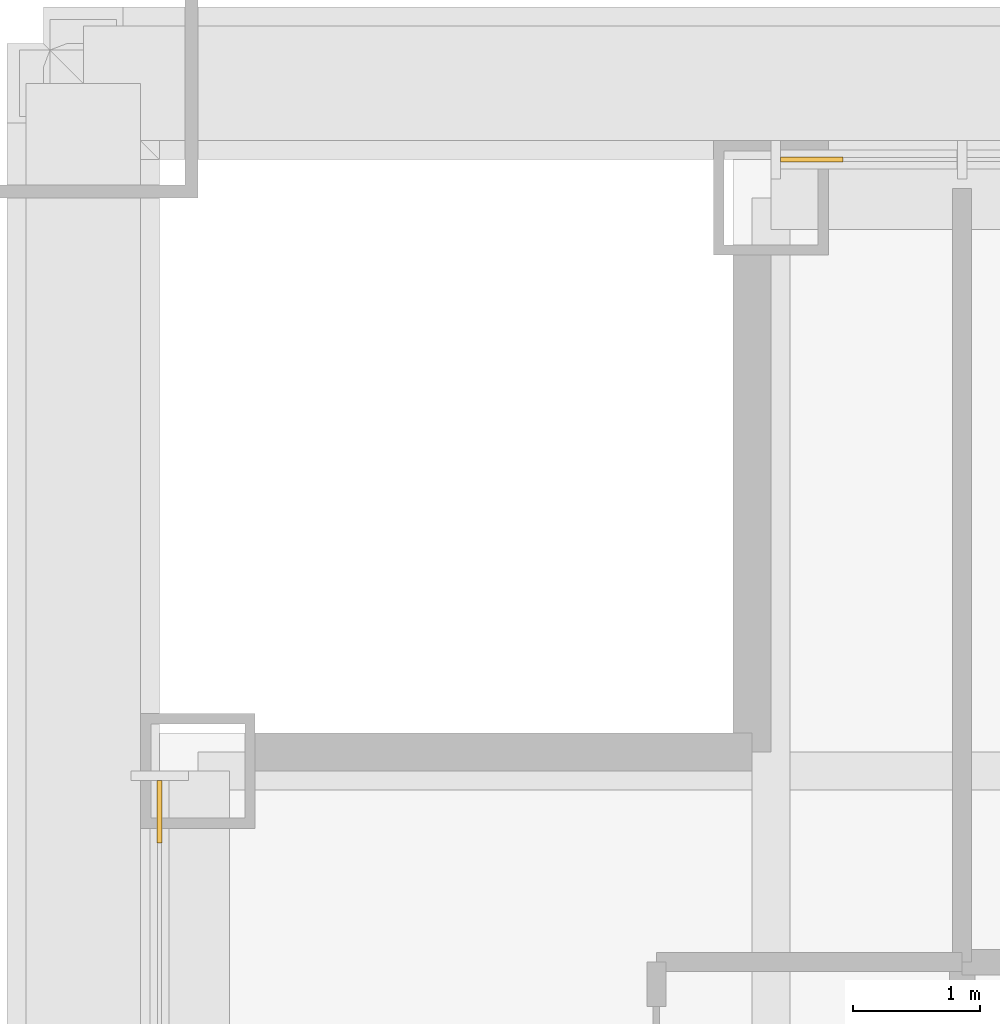
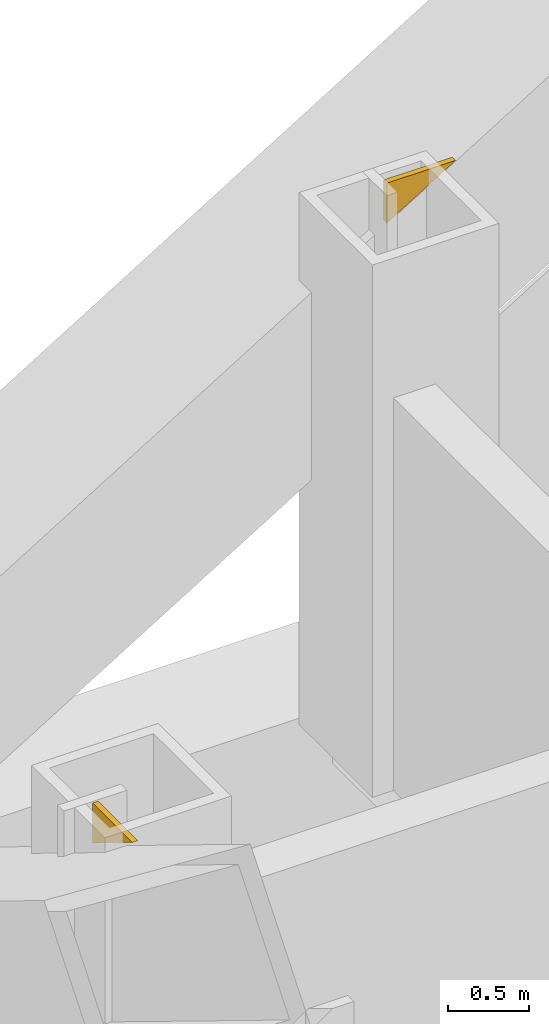
# One storey, part 20 of 21: 2 coverings.
"""IFC4 building model written with IfcOpenShell, lengths in metres."""

from ifc_helpers import new_model, si_unit, direction, frame, origin, place, context, subcontext, project, spatial, polyline, outline, extrude, material, layer, layer_set, type_object, element, save


model = new_model("IFC4")

# Units and contexts
model_context = context("Model", 3, precision=1e-05, world=origin(), true_north=direction((0.0, 1.0)))
body_context = subcontext(model_context, "Body", "Model", "MODEL_VIEW")
ifc_project = project(units=[si_unit("LENGTHUNIT", "METRE"), si_unit("AREAUNIT", "SQUARE_METRE"), si_unit("VOLUMEUNIT", "CUBIC_METRE"), si_unit("PLANEANGLEUNIT", "RADIAN"), si_unit("MASSUNIT", "GRAM", prefix="KILO")], contexts=[model_context])

# Site, building, storey
site_placement = place(None, origin())
site = spatial("IfcSite", under=ifc_project, at=site_placement, CompositionType="ELEMENT")
building_placement = place(site_placement, origin())
building = spatial("IfcBuilding", under=site, at=building_placement, Name="Malebo Sky Hospital", CompositionType="ELEMENT")
storey_placement = place(building_placement, frame((0.0, 0.0, 63.0)))
storey = spatial("IfcBuildingStorey", under=building, at=storey_placement, Name="L14", CompositionType="ELEMENT", Elevation=63.0)

# Coverings
ifc_material = material(Name="Anodised aluminium, natural silver insulated infill panel", Category="aluminium")
ifc_layer = layer(ifc_material, 0.0400390625)
ifc_layer_set = layer_set([ifc_layer], Name="BRACE INFILL PANEL 40")
covering_type = type_object("IfcCoveringType", Name="BRACE INFILL PANEL 40", PredefinedType="CLADDING", material=ifc_layer_set)
covering_1_placement = place(storey_placement, frame((39.61962890625, 87.5, 3.690185546875), z_axis=(0.0, 0.0, 1.0), x_axis=(1.0, 0.0, 0.0)))
element("IfcCovering", 1, at=covering_1_placement, inside=storey, type_object=covering_type, Name="Brace infill panel 1.1", PredefinedType="CLADDING", context=body_context, shape_type="SweptSolid", body=[
    extrude(outline(polyline([(-0.24462890625, 0.0), (0.244384765625, 0.2998046875), (-0.24462890625, 0.2998046875), (-0.24462890625, 0.0)])), frame((0.0, 0.02001953125, 0.0), z_axis=(0.0, -1.0, 0.0), x_axis=(1.0, 0.0, 0.0)), (0.0, 0.0, 1.0), 0.0400390625),
])
covering_2_placement = place(storey_placement, frame((34.5, 82.38037109375, 3.690185546875), z_axis=(0.0, 0.0, 1.0), x_axis=(0.0, 1.0, 0.0)))
element("IfcCovering", 2, at=covering_2_placement, inside=storey, type_object=covering_type, Name="Brace infill panel 15.1", PredefinedType="CLADDING", context=body_context, shape_type="SweptSolid", body=[
    extrude(outline(polyline([(0.244384765625, 0.0), (0.244384765625, 0.2998046875), (-0.24462890625, 0.2998046875), (0.244384765625, 0.0)])), frame((0.0, 0.02001953125, 0.0), z_axis=(0.0, -1.0, 0.0), x_axis=(1.0, 0.0, 0.0)), (0.0, 0.0, 1.0), 0.0400390625),
])

save(model, "model.ifc")
